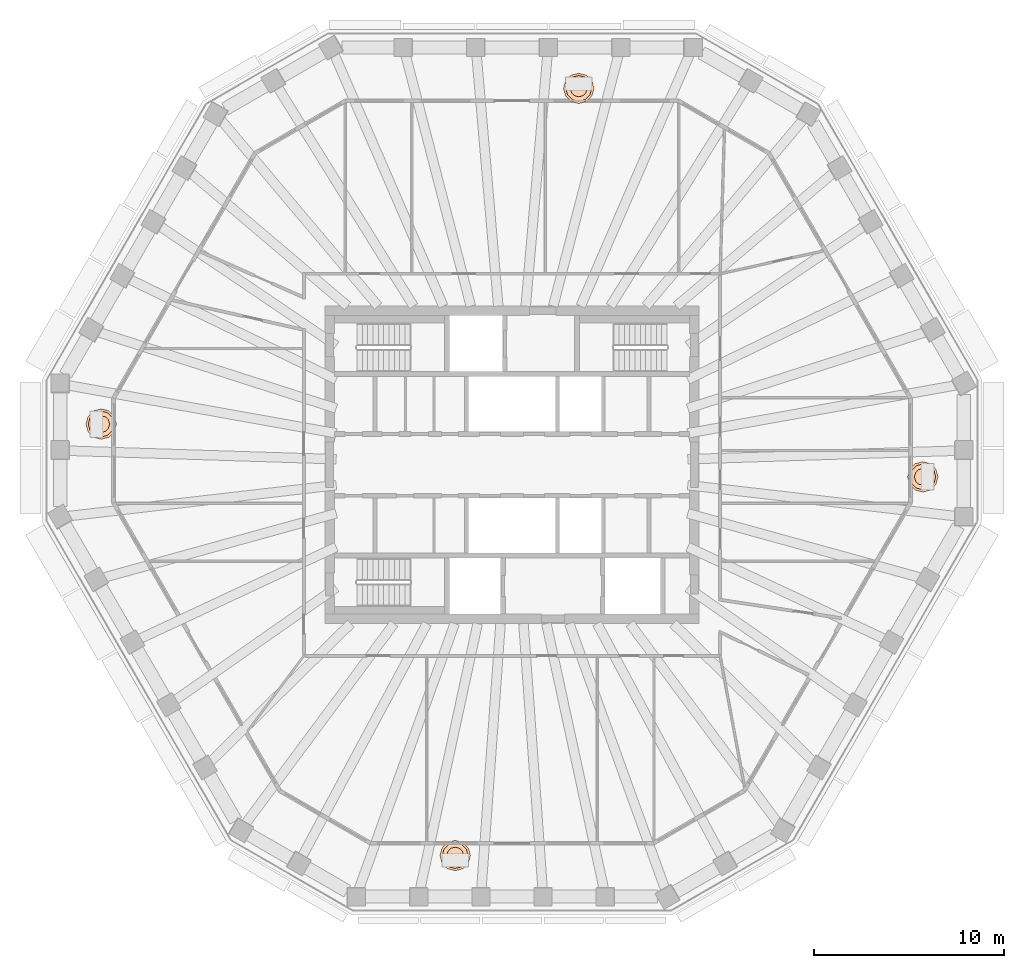
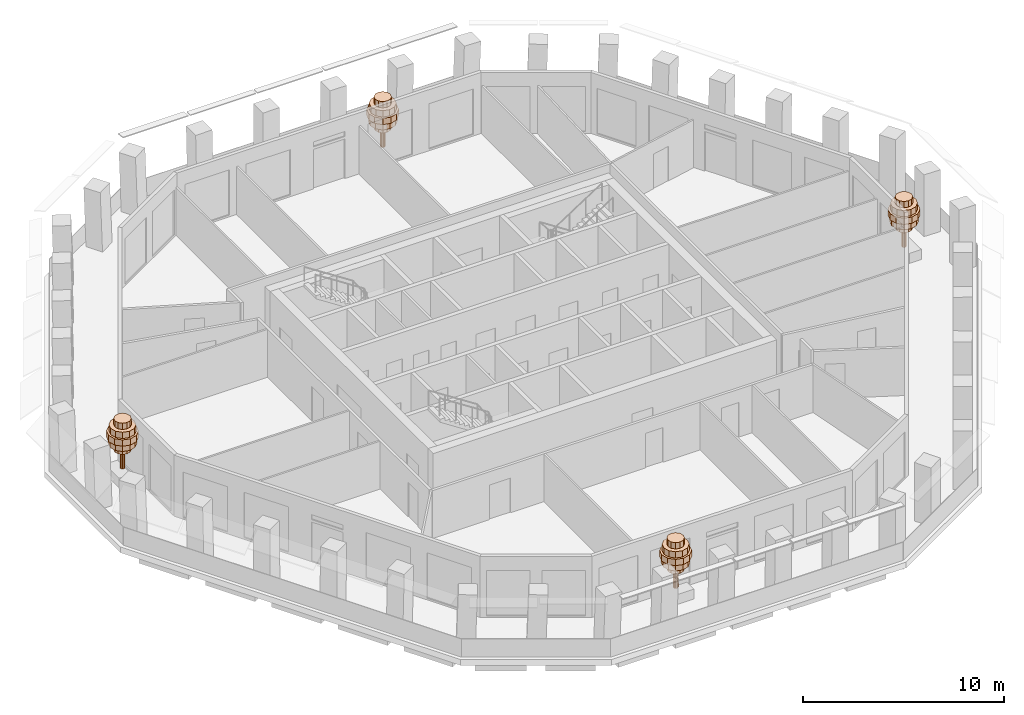
# One storey, part 11 of 11: 4 geographic elements.
"""IFC4 building model written with IfcOpenShell, lengths in metres."""

from ifc_helpers import new_model, si_unit, direction, frame, origin, place, context, subcontext, project, spatial, polyline, outline, extrude, material, type_object, element, save


model = new_model("IFC4")

# Units and contexts
model_context = context("Model", 3, precision=1e-05, world=origin(), true_north=direction((0.0, 1.0)))
body_context = subcontext(model_context, "Body", "Model", "MODEL_VIEW")
ifc_project = project(units=[si_unit("LENGTHUNIT", "METRE"), si_unit("AREAUNIT", "SQUARE_METRE"), si_unit("VOLUMEUNIT", "CUBIC_METRE"), si_unit("PLANEANGLEUNIT", "RADIAN"), si_unit("MASSUNIT", "GRAM", prefix="KILO")], contexts=[model_context])

# Site, building, storey
site_placement = place(None, origin())
site = spatial("IfcSite", under=ifc_project, at=site_placement, CompositionType="ELEMENT")
building_placement = place(site_placement, origin())
building = spatial("IfcBuilding", under=site, at=building_placement, Name="Frailejon Research Tower", CompositionType="ELEMENT")
storey_placement = place(building_placement, frame((0.0, 0.0, 287.0)))
storey = spatial("IfcBuildingStorey", under=building, at=storey_placement, Name="L63", CompositionType="ELEMENT", Elevation=287.0)

# Geographic elements
ifc_material = material(Name="Foliage, green")
geographic_element_type = type_object("IfcGeographicElementType", Name="Frailejon tree, loggia", PredefinedType="USERDEFINED", material=ifc_material)
geographic_element_1_placement = place(storey_placement, frame((21.609375, -0.635009765625, 0.60009765625)))
element("IfcGeographicElement", 1, at=geographic_element_1_placement, inside=storey, type_object=geographic_element_type, Name="Tree L63", ObjectType="TREE", PredefinedType="USERDEFINED", context=body_context, shape_type="SweptSolid", body=[
    extrude(outline(polyline([(0.1298828125, 0.0), (0.112548828125, 0.06494140625), (0.06494140625, 0.112548828125), (0.0, 0.1298828125), (-0.06494140625, 0.112548828125), (-0.112548828125, 0.06494140625), (-0.1298828125, 0.0), (-0.112548828125, -0.06494140625), (-0.06494140625, -0.112548828125), (0.0, -0.1298828125), (0.06494140625, -0.112548828125), (0.112548828125, -0.06494140625), (0.1298828125, 0.0)])), origin(), (0.0, 0.0, 1.0), 2.239990234375),
    extrude(outline(polyline([(0.43994140625, 0.0), (0.381103515625, 0.219970703125), (0.219970703125, 0.381103515625), (0.0, 0.43994140625), (-0.219970703125, 0.381103515625), (-0.381103515625, 0.219970703125), (-0.43994140625, 0.0), (-0.381103515625, -0.219970703125), (-0.219970703125, -0.381103515625), (0.0, -0.43994140625), (0.219970703125, -0.381103515625), (0.381103515625, -0.219970703125), (0.43994140625, 0.0)])), frame((0.0, 0.0, 1.10009765625)), (0.0, 0.0, 1.0), 0.3798828125),
    extrude(outline(polyline([(0.719970703125, 0.0), (0.62353515625, 0.360107421875), (0.360107421875, 0.62353515625), (0.0, 0.719970703125), (-0.360107421875, 0.62353515625), (-0.62353515625, 0.360107421875), (-0.719970703125, 0.0), (-0.62353515625, -0.360107421875), (-0.360107421875, -0.62353515625), (0.0, -0.719970703125), (0.360107421875, -0.62353515625), (0.62353515625, -0.360107421875), (0.719970703125, 0.0)])), frame((0.0, 0.0, 1.47998046875)), (0.0, 0.0, 1.0), 0.3798828125),
    extrude(outline(polyline([(0.800048828125, 0.0), (0.69287109375, 0.39990234375), (0.39990234375, 0.69287109375), (0.0, 0.800048828125), (-0.39990234375, 0.69287109375), (-0.69287109375, 0.39990234375), (-0.800048828125, 0.0), (-0.69287109375, -0.39990234375), (-0.39990234375, -0.69287109375), (0.0, -0.800048828125), (0.39990234375, -0.69287109375), (0.69287109375, -0.39990234375), (0.800048828125, 0.0)])), frame((0.0, 0.0, 1.860107421875)), (0.0, 0.0, 1.0), 0.3798828125),
    extrude(outline(polyline([(0.679931640625, 0.0), (0.5888671875, 0.340087890625), (0.340087890625, 0.5888671875), (0.0, 0.679931640625), (-0.340087890625, 0.5888671875), (-0.5888671875, 0.340087890625), (-0.679931640625, 0.0), (-0.5888671875, -0.340087890625), (-0.340087890625, -0.5888671875), (0.0, -0.679931640625), (0.340087890625, -0.5888671875), (0.5888671875, -0.340087890625), (0.679931640625, 0.0)])), frame((0.0, 0.0, 2.239990234375)), (0.0, 0.0, 1.0), 0.3798828125),
    extrude(outline(polyline([(0.43994140625, 0.0), (0.381103515625, 0.219970703125), (0.219970703125, 0.381103515625), (0.0, 0.43994140625), (-0.219970703125, 0.381103515625), (-0.381103515625, 0.219970703125), (-0.43994140625, 0.0), (-0.381103515625, -0.219970703125), (-0.219970703125, -0.381103515625), (0.0, -0.43994140625), (0.219970703125, -0.381103515625), (0.381103515625, -0.219970703125), (0.43994140625, 0.0)])), frame((0.0, 0.0, 2.6201171875)), (0.0, 0.0, 1.0), 0.3798828125),
])
geographic_element_2_placement = place(storey_placement, frame((3.510498046875, 19.800048828125, 0.60009765625)))
element("IfcGeographicElement", 2, at=geographic_element_2_placement, inside=storey, type_object=geographic_element_type, Name="Tree L63", ObjectType="TREE", PredefinedType="USERDEFINED", context=body_context, shape_type="SweptSolid", body=[
    extrude(outline(polyline([(0.1298828125, 0.0), (0.112548828125, 0.06494140625), (0.06494140625, 0.112548828125), (0.0, 0.1298828125), (-0.06494140625, 0.112548828125), (-0.112548828125, 0.06494140625), (-0.1298828125, 0.0), (-0.112548828125, -0.06494140625), (-0.06494140625, -0.112548828125), (0.0, -0.1298828125), (0.06494140625, -0.112548828125), (0.112548828125, -0.06494140625), (0.1298828125, 0.0)])), origin(), (0.0, 0.0, 1.0), 2.239990234375),
    extrude(outline(polyline([(0.43994140625, 0.0), (0.381103515625, 0.219970703125), (0.219970703125, 0.381103515625), (0.0, 0.43994140625), (-0.219970703125, 0.381103515625), (-0.381103515625, 0.219970703125), (-0.43994140625, 0.0), (-0.381103515625, -0.219970703125), (-0.219970703125, -0.381103515625), (0.0, -0.43994140625), (0.219970703125, -0.381103515625), (0.381103515625, -0.219970703125), (0.43994140625, 0.0)])), frame((0.0, 0.0, 1.10009765625)), (0.0, 0.0, 1.0), 0.3798828125),
    extrude(outline(polyline([(0.719970703125, 0.0), (0.62353515625, 0.360107421875), (0.360107421875, 0.62353515625), (0.0, 0.719970703125), (-0.360107421875, 0.62353515625), (-0.62353515625, 0.360107421875), (-0.719970703125, 0.0), (-0.62353515625, -0.360107421875), (-0.360107421875, -0.62353515625), (0.0, -0.719970703125), (0.360107421875, -0.62353515625), (0.62353515625, -0.360107421875), (0.719970703125, 0.0)])), frame((0.0, 0.0, 1.47998046875)), (0.0, 0.0, 1.0), 0.3798828125),
    extrude(outline(polyline([(0.800048828125, 0.0), (0.69287109375, 0.39990234375), (0.39990234375, 0.69287109375), (0.0, 0.800048828125), (-0.39990234375, 0.69287109375), (-0.69287109375, 0.39990234375), (-0.800048828125, 0.0), (-0.69287109375, -0.39990234375), (-0.39990234375, -0.69287109375), (0.0, -0.800048828125), (0.39990234375, -0.69287109375), (0.69287109375, -0.39990234375), (0.800048828125, 0.0)])), frame((0.0, 0.0, 1.860107421875)), (0.0, 0.0, 1.0), 0.3798828125),
    extrude(outline(polyline([(0.679931640625, 0.0), (0.5888671875, 0.340087890625), (0.340087890625, 0.5888671875), (0.0, 0.679931640625), (-0.340087890625, 0.5888671875), (-0.5888671875, 0.340087890625), (-0.679931640625, 0.0), (-0.5888671875, -0.340087890625), (-0.340087890625, -0.5888671875), (0.0, -0.679931640625), (0.340087890625, -0.5888671875), (0.5888671875, -0.340087890625), (0.679931640625, 0.0)])), frame((0.0, 0.0, 2.239990234375)), (0.0, 0.0, 1.0), 0.3798828125),
    extrude(outline(polyline([(0.43994140625, 0.0), (0.381103515625, 0.219970703125), (0.219970703125, 0.381103515625), (0.0, 0.43994140625), (-0.219970703125, 0.381103515625), (-0.381103515625, 0.219970703125), (-0.43994140625, 0.0), (-0.381103515625, -0.219970703125), (-0.219970703125, -0.381103515625), (0.0, -0.43994140625), (0.219970703125, -0.381103515625), (0.381103515625, -0.219970703125), (0.43994140625, 0.0)])), frame((0.0, 0.0, 2.6201171875)), (0.0, 0.0, 1.0), 0.3798828125),
])
geographic_element_3_placement = place(storey_placement, frame((-21.609375, 2.1435546875, 0.60009765625)))
element("IfcGeographicElement", 3, at=geographic_element_3_placement, inside=storey, type_object=geographic_element_type, Name="Tree L63", ObjectType="TREE", PredefinedType="USERDEFINED", context=body_context, shape_type="SweptSolid", body=[
    extrude(outline(polyline([(0.1298828125, 0.0), (0.112548828125, 0.06494140625), (0.06494140625, 0.112548828125), (0.0, 0.1298828125), (-0.06494140625, 0.112548828125), (-0.112548828125, 0.06494140625), (-0.1298828125, 0.0), (-0.112548828125, -0.06494140625), (-0.06494140625, -0.112548828125), (0.0, -0.1298828125), (0.06494140625, -0.112548828125), (0.112548828125, -0.06494140625), (0.1298828125, 0.0)])), origin(), (0.0, 0.0, 1.0), 2.239990234375),
    extrude(outline(polyline([(0.43994140625, 0.0), (0.381103515625, 0.219970703125), (0.219970703125, 0.381103515625), (0.0, 0.43994140625), (-0.219970703125, 0.381103515625), (-0.381103515625, 0.219970703125), (-0.43994140625, 0.0), (-0.381103515625, -0.219970703125), (-0.219970703125, -0.381103515625), (0.0, -0.43994140625), (0.219970703125, -0.381103515625), (0.381103515625, -0.219970703125), (0.43994140625, 0.0)])), frame((0.0, 0.0, 1.10009765625)), (0.0, 0.0, 1.0), 0.3798828125),
    extrude(outline(polyline([(0.719970703125, 0.0), (0.62353515625, 0.360107421875), (0.360107421875, 0.62353515625), (0.0, 0.719970703125), (-0.360107421875, 0.62353515625), (-0.62353515625, 0.360107421875), (-0.719970703125, 0.0), (-0.62353515625, -0.360107421875), (-0.360107421875, -0.62353515625), (0.0, -0.719970703125), (0.360107421875, -0.62353515625), (0.62353515625, -0.360107421875), (0.719970703125, 0.0)])), frame((0.0, 0.0, 1.47998046875)), (0.0, 0.0, 1.0), 0.3798828125),
    extrude(outline(polyline([(0.800048828125, 0.0), (0.69287109375, 0.39990234375), (0.39990234375, 0.69287109375), (0.0, 0.800048828125), (-0.39990234375, 0.69287109375), (-0.69287109375, 0.39990234375), (-0.800048828125, 0.0), (-0.69287109375, -0.39990234375), (-0.39990234375, -0.69287109375), (0.0, -0.800048828125), (0.39990234375, -0.69287109375), (0.69287109375, -0.39990234375), (0.800048828125, 0.0)])), frame((0.0, 0.0, 1.860107421875)), (0.0, 0.0, 1.0), 0.3798828125),
    extrude(outline(polyline([(0.679931640625, 0.0), (0.5888671875, 0.340087890625), (0.340087890625, 0.5888671875), (0.0, 0.679931640625), (-0.340087890625, 0.5888671875), (-0.5888671875, 0.340087890625), (-0.679931640625, 0.0), (-0.5888671875, -0.340087890625), (-0.340087890625, -0.5888671875), (0.0, -0.679931640625), (0.340087890625, -0.5888671875), (0.5888671875, -0.340087890625), (0.679931640625, 0.0)])), frame((0.0, 0.0, 2.239990234375)), (0.0, 0.0, 1.0), 0.3798828125),
    extrude(outline(polyline([(0.43994140625, 0.0), (0.381103515625, 0.219970703125), (0.219970703125, 0.381103515625), (0.0, 0.43994140625), (-0.219970703125, 0.381103515625), (-0.381103515625, 0.219970703125), (-0.43994140625, 0.0), (-0.381103515625, -0.219970703125), (-0.219970703125, -0.381103515625), (0.0, -0.43994140625), (0.219970703125, -0.381103515625), (0.381103515625, -0.219970703125), (0.43994140625, 0.0)])), frame((0.0, 0.0, 2.6201171875)), (0.0, 0.0, 1.0), 0.3798828125),
])
geographic_element_4_placement = place(storey_placement, frame((-2.988037109375, -20.55419921875, 0.60009765625)))
element("IfcGeographicElement", 4, at=geographic_element_4_placement, inside=storey, type_object=geographic_element_type, Name="Tree L63", ObjectType="TREE", PredefinedType="USERDEFINED", context=body_context, shape_type="SweptSolid", body=[
    extrude(outline(polyline([(0.1298828125, 0.0), (0.112548828125, 0.06494140625), (0.06494140625, 0.112548828125), (0.0, 0.1298828125), (-0.06494140625, 0.112548828125), (-0.112548828125, 0.06494140625), (-0.1298828125, 0.0), (-0.112548828125, -0.06494140625), (-0.06494140625, -0.112548828125), (0.0, -0.1298828125), (0.06494140625, -0.112548828125), (0.112548828125, -0.06494140625), (0.1298828125, 0.0)])), origin(), (0.0, 0.0, 1.0), 2.239990234375),
    extrude(outline(polyline([(0.43994140625, 0.0), (0.381103515625, 0.219970703125), (0.219970703125, 0.381103515625), (0.0, 0.43994140625), (-0.219970703125, 0.381103515625), (-0.381103515625, 0.219970703125), (-0.43994140625, 0.0), (-0.381103515625, -0.219970703125), (-0.219970703125, -0.381103515625), (0.0, -0.43994140625), (0.219970703125, -0.381103515625), (0.381103515625, -0.219970703125), (0.43994140625, 0.0)])), frame((0.0, 0.0, 1.10009765625)), (0.0, 0.0, 1.0), 0.3798828125),
    extrude(outline(polyline([(0.719970703125, 0.0), (0.62353515625, 0.360107421875), (0.360107421875, 0.62353515625), (0.0, 0.719970703125), (-0.360107421875, 0.62353515625), (-0.62353515625, 0.360107421875), (-0.719970703125, 0.0), (-0.62353515625, -0.360107421875), (-0.360107421875, -0.62353515625), (0.0, -0.719970703125), (0.360107421875, -0.62353515625), (0.62353515625, -0.360107421875), (0.719970703125, 0.0)])), frame((0.0, 0.0, 1.47998046875)), (0.0, 0.0, 1.0), 0.3798828125),
    extrude(outline(polyline([(0.800048828125, 0.0), (0.69287109375, 0.39990234375), (0.39990234375, 0.69287109375), (0.0, 0.800048828125), (-0.39990234375, 0.69287109375), (-0.69287109375, 0.39990234375), (-0.800048828125, 0.0), (-0.69287109375, -0.39990234375), (-0.39990234375, -0.69287109375), (0.0, -0.800048828125), (0.39990234375, -0.69287109375), (0.69287109375, -0.39990234375), (0.800048828125, 0.0)])), frame((0.0, 0.0, 1.860107421875)), (0.0, 0.0, 1.0), 0.3798828125),
    extrude(outline(polyline([(0.679931640625, 0.0), (0.5888671875, 0.340087890625), (0.340087890625, 0.5888671875), (0.0, 0.679931640625), (-0.340087890625, 0.5888671875), (-0.5888671875, 0.340087890625), (-0.679931640625, 0.0), (-0.5888671875, -0.340087890625), (-0.340087890625, -0.5888671875), (0.0, -0.679931640625), (0.340087890625, -0.5888671875), (0.5888671875, -0.340087890625), (0.679931640625, 0.0)])), frame((0.0, 0.0, 2.239990234375)), (0.0, 0.0, 1.0), 0.3798828125),
    extrude(outline(polyline([(0.43994140625, 0.0), (0.381103515625, 0.219970703125), (0.219970703125, 0.381103515625), (0.0, 0.43994140625), (-0.219970703125, 0.381103515625), (-0.381103515625, 0.219970703125), (-0.43994140625, 0.0), (-0.381103515625, -0.219970703125), (-0.219970703125, -0.381103515625), (0.0, -0.43994140625), (0.219970703125, -0.381103515625), (0.381103515625, -0.219970703125), (0.43994140625, 0.0)])), frame((0.0, 0.0, 2.6201171875)), (0.0, 0.0, 1.0), 0.3798828125),
])

save(model, "model.ifc")
